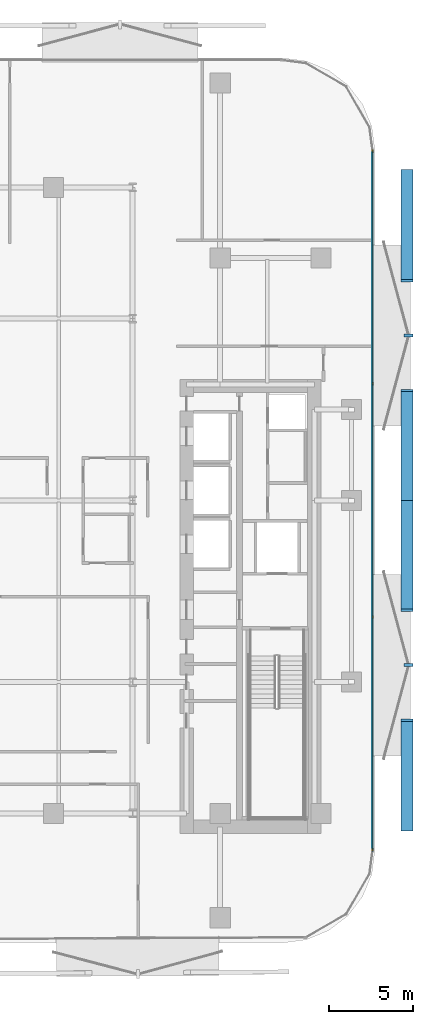
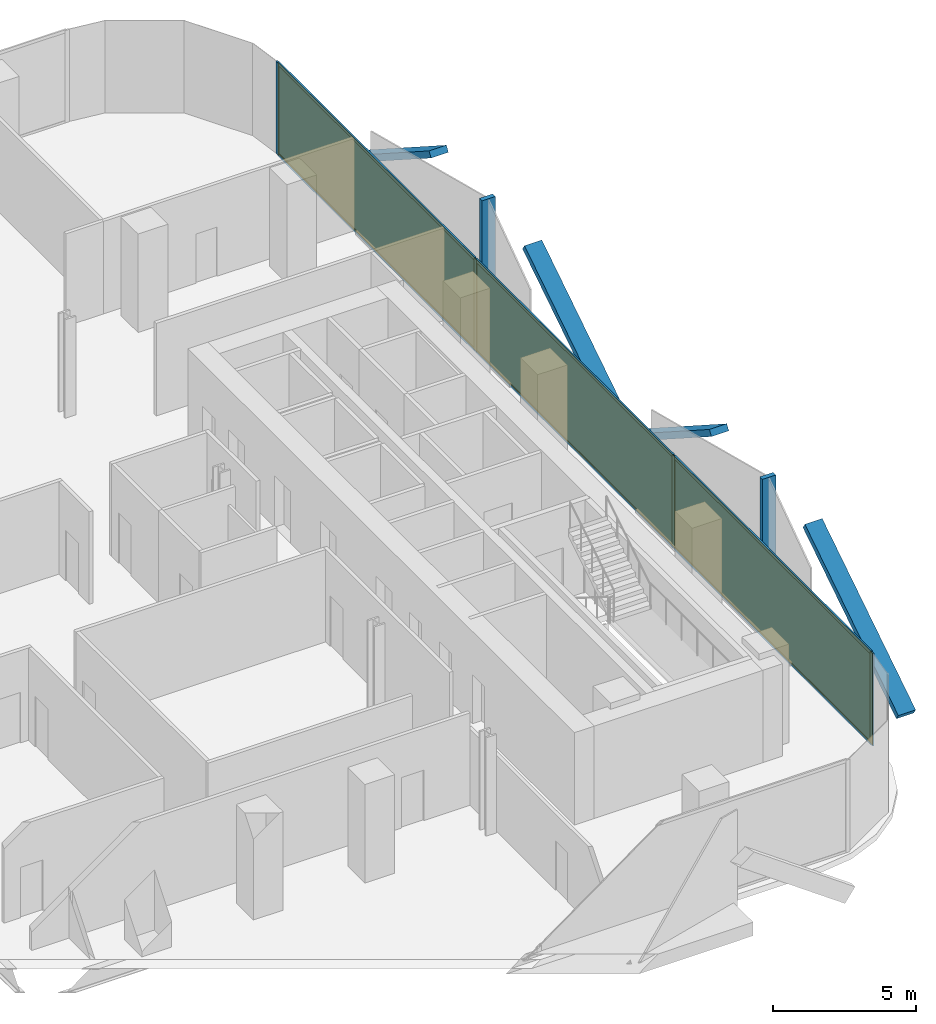
# One storey, part 9 of 15: 16 members, 3 plates, 1 curtain wall.
"""IFC4 building model written with IfcOpenShell, lengths in metres."""

from ifc_helpers import new_model, si_unit, direction, frame, frame_2d, origin, origin_2d, place, context, subcontext, project, spatial, rectangle, extrude, material, layer, layer_set, material_profile, profile_set, type_object, element, aggregate, save


model = new_model("IFC4")

# Units and contexts
model_context = context("Model", 3, precision=1e-05, world=origin(), true_north=direction((0.0, 1.0)))
body_context = subcontext(model_context, "Body", "Model", "MODEL_VIEW")
ifc_project = project(units=[si_unit("LENGTHUNIT", "METRE"), si_unit("AREAUNIT", "SQUARE_METRE"), si_unit("VOLUMEUNIT", "CUBIC_METRE"), si_unit("PLANEANGLEUNIT", "RADIAN"), si_unit("MASSUNIT", "GRAM", prefix="KILO")], contexts=[model_context])

# Member
ifc_material_1 = material(Name="Anodised Bronze Aluminium 6063-T6", Category="aluminium")
ifc_material_profile_1 = material_profile(ifc_material_1, rectangle(XDim=0.260009765625, YDim=0.699951171875, at=origin_2d()))
ifc_profile_set_1 = profile_set([ifc_material_profile_1], Name="Anodised Bronze Aluminium 6063-T6")
member_type_1 = type_object("IfcMemberType", Name="Bronze Diamond Solar-Screen Lattice Rib BDL-700", PredefinedType="MULLION", material=ifc_profile_set_1)
site_placement = place(None, origin())
building_placement = place(site_placement, origin())
storey_placement = place(building_placement, frame((0.0, 0.0, 131.0)))
member_1_placement = place(storey_placement, frame((25.5, 19.5908203125, -0.1298828125), z_axis=(0.0, -0.841066075866, 0.540932395062), x_axis=(0.0, -0.540932395062, -0.841066075866)))
member_1 = element("IfcMember", 1, at=member_1_placement, type_object=member_type_1, Name="L30 Bronze Diamond Solar Screen Lattice Rib 191A", PredefinedType="MULLION", context=body_context, shape_type="SweptSolid", body=[
    extrude(rectangle(XDim=0.260009765625, YDim=0.699951171875, at=origin_2d()), origin(), (0.0, 0.0, 1.0), 7.76416015625),
])

member_2_placement = place(storey_placement, frame((25.5, 0.0, -0.1298828125), z_axis=(0.0, 0.841066075866, 0.540932395062), x_axis=(0.0, 0.540932395062, -0.841066075866)))
member_2 = element("IfcMember", 2, at=member_2_placement, type_object=member_type_1, Name="L30 Bronze Diamond Solar Screen Lattice Rib 191B", PredefinedType="MULLION", context=body_context, shape_type="SweptSolid", body=[
    extrude(rectangle(XDim=0.260009765625, YDim=0.699951171875, at=origin_2d()), origin(), (0.0, 0.0, 1.0), 7.76416015625),
])

member_3_placement = place(storey_placement, frame((25.5, 0.0, -0.1298828125), z_axis=(0.0, -0.841066075866, 0.540932395062), x_axis=(0.0, -0.540932395062, -0.841066075866)))
member_3 = element("IfcMember", 3, at=member_3_placement, type_object=member_type_1, Name="L30 Bronze Diamond Solar Screen Lattice Rib 192A", PredefinedType="MULLION", context=body_context, shape_type="SweptSolid", body=[
    extrude(rectangle(XDim=0.260009765625, YDim=0.699951171875, at=origin_2d()), origin(), (0.0, 0.0, 1.0), 7.76416015625),
])

member_4_placement = place(storey_placement, frame((25.5, -19.5908203125, -0.1298828125), z_axis=(0.0, 0.841066075866, 0.540932395062), x_axis=(0.0, 0.540932395062, -0.841066075866)))
member_4 = element("IfcMember", 4, at=member_4_placement, type_object=member_type_1, Name="L30 Bronze Diamond Solar Screen Lattice Rib 192B", PredefinedType="MULLION", context=body_context, shape_type="SweptSolid", body=[
    extrude(rectangle(XDim=0.260009765625, YDim=0.699951171875, at=origin_2d()), origin(), (0.0, 0.0, 1.0), 7.76416015625),
])

ifc_material_2 = material(Name="Anodised Bronze Aluminium 6063-T6", Category="aluminium")
ifc_material_profile_2 = material_profile(ifc_material_2, rectangle(XDim=0.179931640625, YDim=0.5400390625, at=origin_2d()))
ifc_profile_set_2 = profile_set([ifc_material_profile_2], Name="Anodised Bronze Aluminium 6063-T6")
member_type_2 = type_object("IfcMemberType", Name="Bronze Solar-Screen Vertical Fold Fin BSF-540", PredefinedType="MULLION", material=ifc_profile_set_2)
member_5_placement = place(storey_placement, frame((25.580078125, 9.79541015625, -0.1298828125), z_axis=(0.0, 0.0, 1.0), x_axis=(0.0, -1.0, 0.0)))
member_5 = element("IfcMember", 5, at=member_5_placement, type_object=member_type_2, Name="L30 Bronze Solar Screen Vertical Fin 191", PredefinedType="MULLION", context=body_context, shape_type="SweptSolid", body=[
    extrude(rectangle(XDim=0.179931640625, YDim=0.5400390625, at=origin_2d()), origin(), (0.0, 0.0, 1.0), 4.199951171875),
])

member_6_placement = place(storey_placement, frame((25.580078125, -9.79541015625, -0.1298828125), z_axis=(0.0, 0.0, 1.0), x_axis=(0.0, -1.0, 0.0)))
member_6 = element("IfcMember", 6, at=member_6_placement, type_object=member_type_2, Name="L30 Bronze Solar Screen Vertical Fin 192", PredefinedType="MULLION", context=body_context, shape_type="SweptSolid", body=[
    extrude(rectangle(XDim=0.179931640625, YDim=0.5400390625, at=origin_2d()), origin(), (0.0, 0.0, 1.0), 4.199951171875),
])

ifc_material_3 = material(Name="Anodised Bronze Aluminium 6063-T6", Category="aluminium")
ifc_material_profile_3 = material_profile(ifc_material_3, rectangle(XDim=0.06494140625, YDim=0.175048828125, at=origin_2d()))
ifc_profile_set_3 = profile_set([ifc_material_profile_3], Name="Anodised Bronze Aluminium 6063-T6")
member_type_3 = type_object("IfcMemberType", Name="CW-Z2 Mullion 65x175", PredefinedType="MULLION", material=ifc_profile_set_3)
member_7_placement = place(storey_placement, frame((23.4599609375, 20.75830078125, 0.0), z_axis=(0.0, 0.0, 1.0), x_axis=(1.0, 0.0, 0.0)))
member_7 = element("IfcMember", 7, at=member_7_placement, type_object=member_type_3, Name="CW-Z2 mullion 1", PredefinedType="MULLION", context=body_context, shape_type="SweptSolid", body=[
    extrude(rectangle(XDim=0.06494140625, YDim=0.175048828125, at=origin_2d()), origin(), (0.0, 0.0, 1.0), 3.93994140625),
])

member_8_placement = place(storey_placement, frame((23.4599609375, 6.93017578125, 0.0), z_axis=(0.0, 0.0, 1.0), x_axis=(1.0, 0.0, 0.0)))
member_8 = element("IfcMember", 8, at=member_8_placement, type_object=member_type_3, Name="CW-Z2 mullion 2", PredefinedType="MULLION", context=body_context, shape_type="SweptSolid", body=[
    extrude(rectangle(XDim=0.06494140625, YDim=0.175048828125, at=origin_2d()), origin(), (0.0, 0.0, 1.0), 3.93994140625),
])

member_9_placement = place(storey_placement, frame((23.4599609375, -6.93017578125, 0.0), z_axis=(0.0, 0.0, 1.0), x_axis=(1.0, 0.0, 0.0)))
member_9 = element("IfcMember", 9, at=member_9_placement, type_object=member_type_3, Name="CW-Z2 mullion 3", PredefinedType="MULLION", context=body_context, shape_type="SweptSolid", body=[
    extrude(rectangle(XDim=0.06494140625, YDim=0.175048828125, at=origin_2d()), origin(), (0.0, 0.0, 1.0), 3.93994140625),
])

member_10_placement = place(storey_placement, frame((23.4599609375, -20.75830078125, 0.0), z_axis=(0.0, 0.0, 1.0), x_axis=(1.0, 0.0, 0.0)))
member_10 = element("IfcMember", 10, at=member_10_placement, type_object=member_type_3, Name="CW-Z2 mullion 4", PredefinedType="MULLION", context=body_context, shape_type="SweptSolid", body=[
    extrude(rectangle(XDim=0.06494140625, YDim=0.175048828125, at=origin_2d()), origin(), (0.0, 0.0, 1.0), 3.93994140625),
])

ifc_material_4 = material(Name="Anodised Bronze Aluminium 6063-T6", Category="aluminium")
ifc_material_profile_4 = material_profile(ifc_material_4, rectangle(XDim=0.06494140625, YDim=0.135009765625, at=origin_2d()))
ifc_profile_set_4 = profile_set([ifc_material_profile_4], Name="Anodised Bronze Aluminium 6063-T6")
member_type_4 = type_object("IfcMemberType", Name="CW-Z2 Transom 65x135", PredefinedType="USERDEFINED", material=ifc_profile_set_4)
member_11_placement = place(storey_placement, frame((23.4599609375, 20.725830078125, 0.032470703125), z_axis=(0.0, -1.0, 0.0), x_axis=(1.0, 0.0, 0.0)))
member_11 = element("IfcMember", 11, at=member_11_placement, type_object=member_type_4, Name="CW-Z2 transom 1.1", ObjectType="TRANSOM", PredefinedType="USERDEFINED", context=body_context, shape_type="SweptSolid", body=[
    extrude(rectangle(XDim=0.06494140625, YDim=0.135009765625, at=origin_2d()), origin(), (0.0, 0.0, 1.0), 13.76318359375),
])

member_12_placement = place(storey_placement, frame((23.4599609375, 20.725830078125, 3.907470703125), z_axis=(0.0, -1.0, 0.0), x_axis=(1.0, 0.0, 0.0)))
member_12 = element("IfcMember", 12, at=member_12_placement, type_object=member_type_4, Name="CW-Z2 transom 1.2", ObjectType="TRANSOM", PredefinedType="USERDEFINED", context=body_context, shape_type="SweptSolid", body=[
    extrude(rectangle(XDim=0.06494140625, YDim=0.135009765625, at=origin_2d()), origin(), (0.0, 0.0, 1.0), 13.76318359375),
])

member_13_placement = place(storey_placement, frame((23.4599609375, 6.897705078125, 0.032470703125), z_axis=(0.0, -1.0, 0.0), x_axis=(1.0, 0.0, 0.0)))
member_13 = element("IfcMember", 13, at=member_13_placement, type_object=member_type_4, Name="CW-Z2 transom 2.1", ObjectType="TRANSOM", PredefinedType="USERDEFINED", context=body_context, shape_type="SweptSolid", body=[
    extrude(rectangle(XDim=0.06494140625, YDim=0.135009765625, at=origin_2d()), origin(), (0.0, 0.0, 1.0), 13.79541015625),
])

member_14_placement = place(storey_placement, frame((23.4599609375, 6.897705078125, 3.907470703125), z_axis=(0.0, -1.0, 0.0), x_axis=(1.0, 0.0, 0.0)))
member_14 = element("IfcMember", 14, at=member_14_placement, type_object=member_type_4, Name="CW-Z2 transom 2.2", ObjectType="TRANSOM", PredefinedType="USERDEFINED", context=body_context, shape_type="SweptSolid", body=[
    extrude(rectangle(XDim=0.06494140625, YDim=0.135009765625, at=origin_2d()), origin(), (0.0, 0.0, 1.0), 13.79541015625),
])

member_15_placement = place(storey_placement, frame((23.4599609375, -6.962646484375, 0.032470703125), z_axis=(0.0, -1.0, 0.0), x_axis=(1.0, 0.0, 0.0)))
member_15 = element("IfcMember", 15, at=member_15_placement, type_object=member_type_4, Name="CW-Z2 transom 3.1", ObjectType="TRANSOM", PredefinedType="USERDEFINED", context=body_context, shape_type="SweptSolid", body=[
    extrude(rectangle(XDim=0.06494140625, YDim=0.135009765625, at=origin_2d()), origin(), (0.0, 0.0, 1.0), 13.76318359375),
])

member_16_placement = place(storey_placement, frame((23.4599609375, -6.962646484375, 3.907470703125), z_axis=(0.0, -1.0, 0.0), x_axis=(1.0, 0.0, 0.0)))
member_16 = element("IfcMember", 16, at=member_16_placement, type_object=member_type_4, Name="CW-Z2 transom 3.2", ObjectType="TRANSOM", PredefinedType="USERDEFINED", context=body_context, shape_type="SweptSolid", body=[
    extrude(rectangle(XDim=0.06494140625, YDim=0.135009765625, at=origin_2d()), origin(), (0.0, 0.0, 1.0), 13.76318359375),
])

# Plate
ifc_material_5 = material(Name="Low-E Solar Control Laminated Glass", Category="glass")
ifc_layer_1 = layer(ifc_material_5, 0.028076171875, Name="Low-E Solar Control Laminated Glass")
ifc_layer_set_1 = layer_set([ifc_layer_1], Name="Low-E Solar Control Laminated Glass")
plate_type = type_object("IfcPlateType", Name="CW-Z2 Low-E Double Glazed Panel 28mm", PredefinedType="CURTAIN_PANEL", material=ifc_layer_set_1)
plate_1_placement = place(storey_placement, frame((23.4599609375, 13.84423828125, 0.06494140625), z_axis=(0.0, 0.0, 1.0), x_axis=(0.0, -1.0, 0.0)))
plate_1 = element("IfcPlate", 17, at=plate_1_placement, type_object=plate_type, Name="CW-Z2 panel 1.1", PredefinedType="CURTAIN_PANEL", context=body_context, shape_type="SweptSolid", body=[
    extrude(rectangle(XDim=13.762939453125, YDim=0.028076171875, at=origin_2d()), origin(), (0.0, 0.0, 1.0), 3.81005859375),
])

plate_2_placement = place(storey_placement, frame((23.4599609375, 0.0, 0.06494140625), z_axis=(0.0, 0.0, 1.0), x_axis=(0.0, -1.0, 0.0)))
plate_2 = element("IfcPlate", 18, at=plate_2_placement, type_object=plate_type, Name="CW-Z2 panel 2.1", PredefinedType="CURTAIN_PANEL", context=body_context, shape_type="SweptSolid", body=[
    extrude(rectangle(XDim=13.795654296875, YDim=0.028076171875, at=origin_2d()), origin(), (0.0, 0.0, 1.0), 3.81005859375),
])

plate_3_placement = place(storey_placement, frame((23.4599609375, -13.84423828125, 0.06494140625), z_axis=(0.0, 0.0, 1.0), x_axis=(0.0, -1.0, 0.0)))
plate_3 = element("IfcPlate", 19, at=plate_3_placement, type_object=plate_type, Name="CW-Z2 panel 3.1", PredefinedType="CURTAIN_PANEL", context=body_context, shape_type="SweptSolid", body=[
    extrude(rectangle(XDim=13.762939453125, YDim=0.028076171875, at=origin_2d()), origin(), (0.0, 0.0, 1.0), 3.81005859375),
])

# Site, building, storey
site = spatial("IfcSite", under=ifc_project, at=site_placement, CompositionType="ELEMENT")
building = spatial("IfcBuilding", under=site, at=building_placement, Name="Khairoan Windgate Tower", CompositionType="ELEMENT")
storey = spatial("IfcBuildingStorey", under=building, at=storey_placement, Name="L30", CompositionType="ELEMENT", Elevation=131.0)

# Curtain wall
ifc_material_6 = material(Name="Anodised Bronze Aluminium 6063-T6", Category="aluminium")
ifc_layer_2 = layer(ifc_material_6, 0.175048828125, Name="Anodised Bronze Aluminium 6063-T6")
ifc_layer_set_2 = layer_set([ifc_layer_2], Name="Anodised Bronze Aluminium 6063-T6")
curtain_wall_type = type_object("IfcCurtainWallType", Name="Mid-Rise Office Unitised Curtain Wall CW-Z2", PredefinedType="NOTDEFINED", material=ifc_layer_set_2)
curtain_wall_placement = place(storey_placement, frame((23.4599609375, 20.790771484375, 0.0), z_axis=(0.0, 0.0, 1.0), x_axis=(0.0, -1.0, 0.0)))
curtain_wall = element("IfcCurtainWall", 20, at=curtain_wall_placement, inside=storey, type_object=curtain_wall_type, Name="L30 Unitised Curtain Wall 16", PredefinedType="NOTDEFINED", context=body_context, shape_type="SweptSolid", body=[
    extrude(rectangle(XDim=41.58154296875, YDim=0.010009765625, at=frame_2d((20.790771484375, 0.0))), origin(), (0.0, 0.0, 1.0), 3.93994140625),
])

aggregate(curtain_wall, [member_7, member_8, member_9, member_10, member_11, member_12, plate_1, member_13, member_14, plate_2, member_15, member_16, plate_3, member_1, member_2, member_5, member_3, member_4, member_6])

save(model, "model.ifc")
